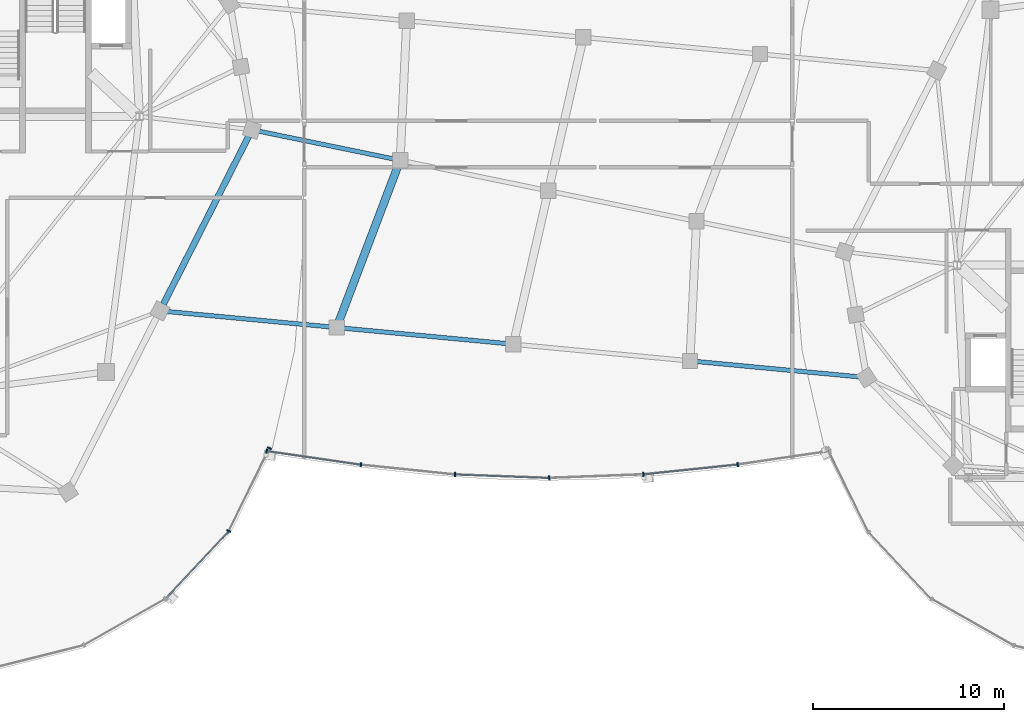
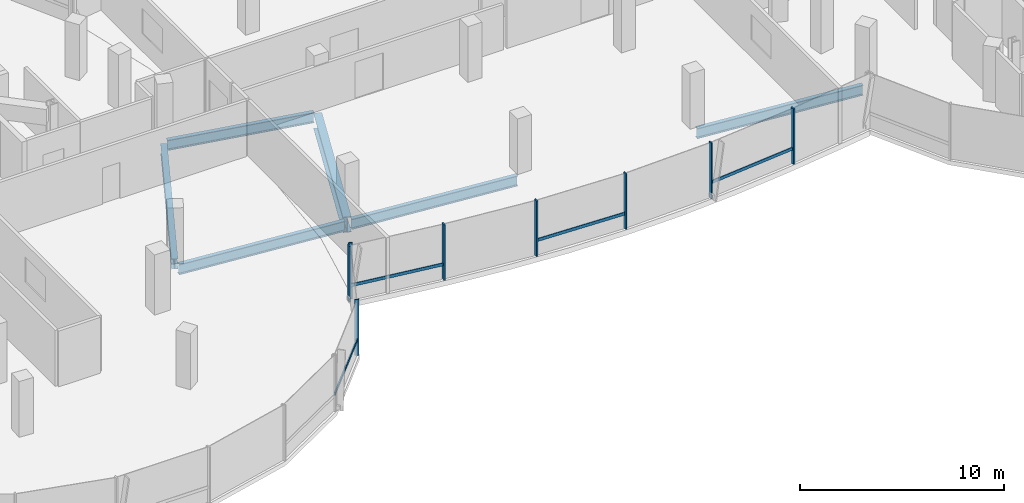
# One storey, part 4 of 25: 12 members, 6 beams, 2 elements without a shape of their own.
"""IFC4 building model written with IfcOpenShell, lengths in metres."""

from ifc_helpers import new_model, si_unit, direction, frame, origin, origin_2d, place, context, subcontext, project, spatial, rectangle, i_section, extrude, material, material_profile, profile_set, type_object, element, aggregate, save


model = new_model("IFC4")

# Units and contexts
model_context = context("Model", 3, precision=1e-05, world=origin(), true_north=direction((0.0, 1.0)))
body_context = subcontext(model_context, "Body", "Model", "MODEL_VIEW")
ifc_project = project(units=[si_unit("LENGTHUNIT", "METRE"), si_unit("AREAUNIT", "SQUARE_METRE"), si_unit("VOLUMEUNIT", "CUBIC_METRE"), si_unit("PLANEANGLEUNIT", "RADIAN"), si_unit("MASSUNIT", "GRAM", prefix="KILO"), si_unit("THERMODYNAMICTEMPERATUREUNIT", "KELVIN"), si_unit("POWERUNIT", "WATT")], contexts=[model_context])

# Site, building, storey
site_placement = place(None, origin())
site = spatial("IfcSite", under=ifc_project, at=site_placement, CompositionType="ELEMENT")
building_placement = place(site_placement, origin())
building = spatial("IfcBuilding", under=site, at=building_placement, Name="Cundina Bronze Exchange", CompositionType="ELEMENT")
storey_placement = place(building_placement, frame((0.0, 0.0, 272.0)))
storey = spatial("IfcBuildingStorey", under=building, at=storey_placement, Name="L72", CompositionType="ELEMENT", Elevation=272.0)

# Beams
ifc_material_1 = material(Name="Steel ASTM A992 Grade 50", Category="steel")
ifc_material_profile_1 = material_profile(ifc_material_1, i_section(OverallWidth=0.22998046875, OverallDepth=0.616943359375, WebThickness=0.01318359375, FlangeThickness=0.022216796875, FilletRadius=0.013916015625, at=origin_2d()), Name="W24X94", Category="steel")
ifc_profile_set_1 = profile_set([ifc_material_profile_1], Name="Steel ASTM A992 Grade 50")
beam_type_1 = type_object("IfcBeamType", Name="BM-FLR-W24B", PredefinedType="BEAM", material=ifc_profile_set_1)
for number, where, z_axis, x_axis, name in (
    (1, (-20.19580078125, -6.31689453125, -0.62841796875), (0.995572136276, -0.094000646124, 0.0), (0.094000646124, 0.995572136276, 0.0), "L72 Sky-Gate Longitudinal Girder Y1-P1"),
    (2, (-10.927001953125, -7.19189453125, -0.62841796875), (0.995572136276, -0.094000646124, 0.0), (0.094000646124, 0.995572136276, 0.0), "L72 Sky-Gate Longitudinal Girder Y1-P2"),
):
    element("IfcBeam", number, at=place(storey_placement, frame(where, z_axis=z_axis, x_axis=x_axis)), inside=storey, type_object=beam_type_1, Name=name, PredefinedType="BEAM", context=body_context, shape_type="SweptSolid", body=[
        extrude(i_section(OverallWidth=0.22998046875, OverallDepth=0.616943359375, WebThickness=0.01318359375, FlangeThickness=0.022216796875, FilletRadius=0.013916015625, at=origin_2d()), origin(), (0.0, 0.0, 1.0), 8.949951171875),
    ])
beam_1_placement = place(storey_placement, frame((7.610595703125, -8.94189453125, -0.62841796875), z_axis=(0.995571895232, -0.094003199007, 0.0), x_axis=(0.094003199007, 0.995571895232, 0.0)))
element("IfcBeam", 3, at=beam_1_placement, inside=storey, type_object=beam_type_1, Name="L72 Sky-Gate Longitudinal Girder Y1-P4", PredefinedType="BEAM", context=body_context, shape_type="SweptSolid", body=[
    extrude(i_section(OverallWidth=0.22998046875, OverallDepth=0.616943359375, WebThickness=0.01318359375, FlangeThickness=0.022216796875, FilletRadius=0.013916015625, at=origin_2d()), origin(), (0.0, 0.0, 1.0), 8.94970703125),
])
beam_2_placement = place(storey_placement, frame((-15.373779296875, 3.163818359375, -0.62841796875), z_axis=(0.979471264571, -0.20158383338, 0.0), x_axis=(0.20158383338, 0.979471264571, 0.0)))
element("IfcBeam", 4, at=beam_2_placement, inside=storey, type_object=beam_type_1, Name="L72 Sky-Gate Longitudinal Girder Y2-P1", PredefinedType="BEAM", context=body_context, shape_type="SweptSolid", body=[
    extrude(i_section(OverallWidth=0.22998046875, OverallDepth=0.616943359375, WebThickness=0.01318359375, FlangeThickness=0.022216796875, FilletRadius=0.013916015625, at=origin_2d()), origin(), (0.0, 0.0, 1.0), 7.577880859375),
])
ifc_material_profile_2 = material_profile(ifc_material_1, i_section(OverallWidth=0.324951171875, OverallDepth=0.615966796875, WebThickness=0.013916015625, FlangeThickness=0.021484375, FilletRadius=0.01611328125, at=origin_2d()), Name="W24X117", Category="steel")
ifc_profile_set_2 = profile_set([ifc_material_profile_2], Name="Steel ASTM A992 Grade 50")
beam_type_2 = type_object("IfcBeamType", Name="BM-RING-W24", PredefinedType="USERDEFINED", material=ifc_profile_set_2)
beam_3_placement = place(storey_placement, frame((-20.19921875, -5.9541015625, -0.568115234375), z_axis=(0.452839263805, 0.891592171991, 0.0), x_axis=(-0.891592171991, 0.452839263805, 0.0)))
element("IfcBeam", 5, at=beam_3_placement, inside=storey, type_object=beam_type_2, Name="L72 W Perimeter Ring Girder 13", ObjectType="GIRDER", PredefinedType="USERDEFINED", context=body_context, shape_type="SweptSolid", body=[
    extrude(i_section(OverallWidth=0.324951171875, OverallDepth=0.615966796875, WebThickness=0.013916015625, FlangeThickness=0.021484375, FilletRadius=0.01611328125, at=origin_2d()), origin(), (0.0, 0.0, 1.0), 9.879150390625),
])
ifc_material_profile_3 = material_profile(ifc_material_1, i_section(OverallWidth=0.41796875, OverallDepth=0.927001953125, WebThickness=0.019287109375, FlangeThickness=0.031982421875, FilletRadius=0.02392578125, at=origin_2d()), Name="W36X231", Category="steel")
ifc_profile_set_3 = profile_set([ifc_material_profile_3], Name="Steel ASTM A992 Grade 50")
beam_type_3 = type_object("IfcBeamType", Name="BM-WRN-W36B", PredefinedType="USERDEFINED", material=ifc_profile_set_3)
beam_4_placement = place(storey_placement, frame((-11.042236328125, -7.006591796875, -0.783447265625), z_axis=(0.354911890514, 0.934899753969, 0.0), x_axis=(-0.934899753969, 0.354911890514, 0.0)))
element("IfcBeam", 6, at=beam_4_placement, inside=storey, type_object=beam_type_3, Name="L72 Sky-Gate Transverse Girder X1-S", ObjectType="GIRDER", PredefinedType="USERDEFINED", context=body_context, shape_type="SweptSolid", body=[
    extrude(i_section(OverallWidth=0.41796875, OverallDepth=0.927001953125, WebThickness=0.019287109375, FlangeThickness=0.031982421875, FilletRadius=0.02392578125, at=origin_2d()), origin(), (0.0, 0.0, 1.0), 9.02587890625),
])

# Curtain wall, members
ifc_material_2 = material(Name="Anodised Bronze Aluminium 6063-T6", Category="aluminium")
curtain_wall_type = type_object("IfcCurtainWallType", Name="CWS-SKG-BRG", PredefinedType="NOTDEFINED", material=ifc_material_2)
curtain_wall_1_placement = place(storey_placement, origin())
curtain_wall_1 = element("IfcCurtainWall", 7, at=curtain_wall_1_placement, inside=storey, type_object=curtain_wall_type, Name="L72 CW-06 Curtain Wall Run CWR-L72-W4", PredefinedType="NOTDEFINED")
ifc_material_profile_4 = material_profile(ifc_material_2, rectangle(XDim=0.074951171875, YDim=0.219970703125, at=origin_2d()), Name="AL75X220", Category="aluminium")
ifc_profile_set_4 = profile_set([ifc_material_profile_4], Name="Anodised Bronze Aluminium 6063-T6")
member_type_1 = type_object("IfcMemberType", Name="CWM-MUL-220", PredefinedType="MULLION", material=ifc_profile_set_4)
member_1_placement = place(storey_placement, frame((-16.7666015625, -17.856689453125, 0.0), z_axis=(0.0, 0.0, 1.0), x_axis=(0.440566004113, 0.897720221461, 0.0)))
member_1 = element("IfcMember", 8, at=member_1_placement, type_object=member_type_1, Name="CW-06 Mullion 2", PredefinedType="MULLION", context=body_context, shape_type="SweptSolid", body=[
    extrude(rectangle(XDim=0.074951171875, YDim=0.219970703125, at=origin_2d()), origin(), (0.0, 0.0, 1.0), 3.340087890625),
])
member_2_placement = place(storey_placement, frame((-14.630859375, -13.50390625, 0.0), z_axis=(0.0, 0.0, 1.0), x_axis=(0.440566004113, 0.897720221461, 0.0)))
member_2 = element("IfcMember", 9, at=member_2_placement, type_object=member_type_1, Name="CW-06 End Mullion", PredefinedType="MULLION", context=body_context, shape_type="SweptSolid", body=[
    extrude(rectangle(XDim=0.074951171875, YDim=0.219970703125, at=origin_2d()), origin(), (0.0, 0.0, 1.0), 3.340087890625),
])

curtain_wall_2_placement = place(storey_placement, origin())
curtain_wall_2 = element("IfcCurtainWall", 10, at=curtain_wall_2_placement, inside=storey, type_object=curtain_wall_type, Name="L72 CW-06 Curtain Wall Run CWR-L72-BRGS", PredefinedType="NOTDEFINED")
member_3_placement = place(storey_placement, frame((-14.779296875, -13.658935546875, 0.0), z_axis=(0.0, 0.0, 1.0), x_axis=(0.989525789069, -0.144356201001, 0.0)))
member_3 = element("IfcMember", 11, at=member_3_placement, type_object=member_type_1, Name="CW-06 Mullion 1", PredefinedType="MULLION", context=body_context, shape_type="SweptSolid", body=[
    extrude(rectangle(XDim=0.074951171875, YDim=0.219970703125, at=origin_2d()), origin(), (0.0, 0.0, 1.0), 3.330078125),
])
member_4_placement = place(storey_placement, frame((-9.83447265625, -14.378173828125, 0.0), z_axis=(0.0, 0.0, 1.0), x_axis=(0.994666875153, -0.103139747302, 0.0)))
member_4 = element("IfcMember", 12, at=member_4_placement, type_object=member_type_1, Name="CW-06 Mullion 2", PredefinedType="MULLION", context=body_context, shape_type="SweptSolid", body=[
    extrude(rectangle(XDim=0.074951171875, YDim=0.219970703125, at=origin_2d()), origin(), (0.0, 0.0, 1.0), 3.330078125),
])
member_5_placement = place(storey_placement, frame((-4.892578125, -14.88720703125, 0.0), z_axis=(0.0, 0.0, 1.0), x_axis=(0.999302568116, -0.037341362551, 0.0)))
member_5 = element("IfcMember", 13, at=member_5_placement, type_object=member_type_1, Name="CW-06 Mullion 3", PredefinedType="MULLION", context=body_context, shape_type="SweptSolid", body=[
    extrude(rectangle(XDim=0.074951171875, YDim=0.219970703125, at=origin_2d()), origin(), (0.0, 0.0, 1.0), 3.330078125),
])
member_6_placement = place(storey_placement, frame((0.047607421875, -15.068115234375, 0.0), z_axis=(0.0, 0.0, 1.0), x_axis=(0.999302568116, 0.037341362551, 0.0)))
member_6 = element("IfcMember", 14, at=member_6_placement, type_object=member_type_1, Name="CW-06 Mullion 4", PredefinedType="MULLION", context=body_context, shape_type="SweptSolid", body=[
    extrude(rectangle(XDim=0.074951171875, YDim=0.219970703125, at=origin_2d()), origin(), (0.0, 0.0, 1.0), 3.330078125),
])
member_7_placement = place(storey_placement, frame((4.98876953125, -14.88037109375, 0.0), z_axis=(0.0, 0.0, 1.0), x_axis=(0.994666875153, 0.103139747302, 0.0)))
member_7 = element("IfcMember", 15, at=member_7_placement, type_object=member_type_1, Name="CW-06 Mullion 5", PredefinedType="MULLION", context=body_context, shape_type="SweptSolid", body=[
    extrude(rectangle(XDim=0.074951171875, YDim=0.219970703125, at=origin_2d()), origin(), (0.0, 0.0, 1.0), 3.330078125),
])
member_8_placement = place(storey_placement, frame((9.93310546875, -14.36572265625, 0.0), z_axis=(0.0, 0.0, 1.0), x_axis=(0.989525789069, 0.144356201001, 0.0)))
member_8 = element("IfcMember", 16, at=member_8_placement, type_object=member_type_1, Name="CW-06 Mullion 6", PredefinedType="MULLION", context=body_context, shape_type="SweptSolid", body=[
    extrude(rectangle(XDim=0.074951171875, YDim=0.219970703125, at=origin_2d()), origin(), (0.0, 0.0, 1.0), 3.330078125),
])

# Member
ifc_material_profile_5 = material_profile(ifc_material_2, rectangle(XDim=0.070068359375, YDim=0.179931640625, at=origin_2d()), Name="AL70X180", Category="aluminium")
ifc_profile_set_5 = profile_set([ifc_material_profile_5], Name="Anodised Bronze Aluminium 6063-T6")
member_type_2 = type_object("IfcMemberType", Name="CWM-TRN-180", PredefinedType="USERDEFINED", material=ifc_profile_set_5)
member_9_placement = place(storey_placement, frame((-20.031494140625, -21.349609375, 0.919921875), z_axis=(0.684328474899, 0.729173873944, 0.0), x_axis=(-0.729173873944, 0.684328474899, 0.0)))
member_9 = element("IfcMember", 17, at=member_9_placement, type_object=member_type_2, Name="CW-06 Spandrel Transom 1", ObjectType="TRANSOM", PredefinedType="USERDEFINED", context=body_context, shape_type="SweptSolid", body=[
    extrude(rectangle(XDim=0.070068359375, YDim=0.179931640625, at=origin_2d()), origin(), (0.0, 0.0, 1.0), 4.758056640625),
])

aggregate(curtain_wall_1, [member_9, member_1, member_2])

member_10_placement = place(storey_placement, frame((-14.738525390625, -13.664794921875, 0.919921875), z_axis=(0.989531497997, -0.144317062302, 0.0), x_axis=(0.144317062302, 0.989531497997, 0.0)))
member_10 = element("IfcMember", 18, at=member_10_placement, type_object=member_type_2, Name="CW-06 Spandrel Transom 1", ObjectType="TRANSOM", PredefinedType="USERDEFINED", context=body_context, shape_type="SweptSolid", body=[
    extrude(rectangle(XDim=0.070068359375, YDim=0.179931640625, at=origin_2d()), origin(), (0.0, 0.0, 1.0), 4.8974609375),
])

member_11_placement = place(storey_placement, frame((-4.8515625, -14.888671875, 0.919921875), z_axis=(0.999303683555, -0.037311500026, 0.0), x_axis=(0.037311500026, 0.999303683555, 0.0)))
member_11 = element("IfcMember", 19, at=member_11_placement, type_object=member_type_2, Name="CW-06 Spandrel Transom 3", ObjectType="TRANSOM", PredefinedType="USERDEFINED", context=body_context, shape_type="SweptSolid", body=[
    extrude(rectangle(XDim=0.070068359375, YDim=0.179931640625, at=origin_2d()), origin(), (0.0, 0.0, 1.0), 4.8486328125),
])

member_12_placement = place(storey_placement, frame((5.02978515625, -14.8759765625, 0.919921875), z_axis=(0.994672497027, 0.103085516243, 0.0), x_axis=(-0.103085516243, 0.994672497027, 0.0)))
member_12 = element("IfcMember", 20, at=member_12_placement, type_object=member_type_2, Name="CW-06 Spandrel Transom 5", ObjectType="TRANSOM", PredefinedType="USERDEFINED", context=body_context, shape_type="SweptSolid", body=[
    extrude(rectangle(XDim=0.070068359375, YDim=0.179931640625, at=origin_2d()), origin(), (0.0, 0.0, 1.0), 4.87158203125),
])

aggregate(curtain_wall_2, [member_3, member_10, member_4, member_5, member_11, member_6, member_7, member_12, member_8])

save(model, "model.ifc")
